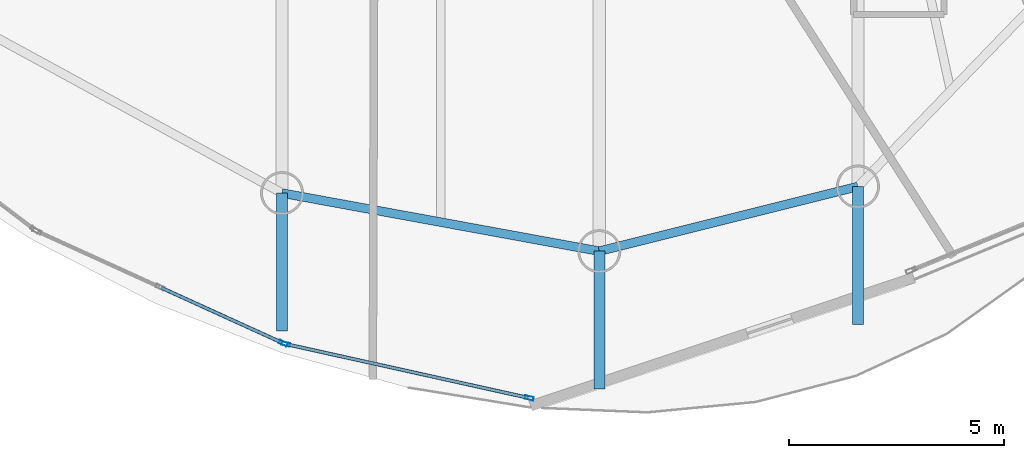
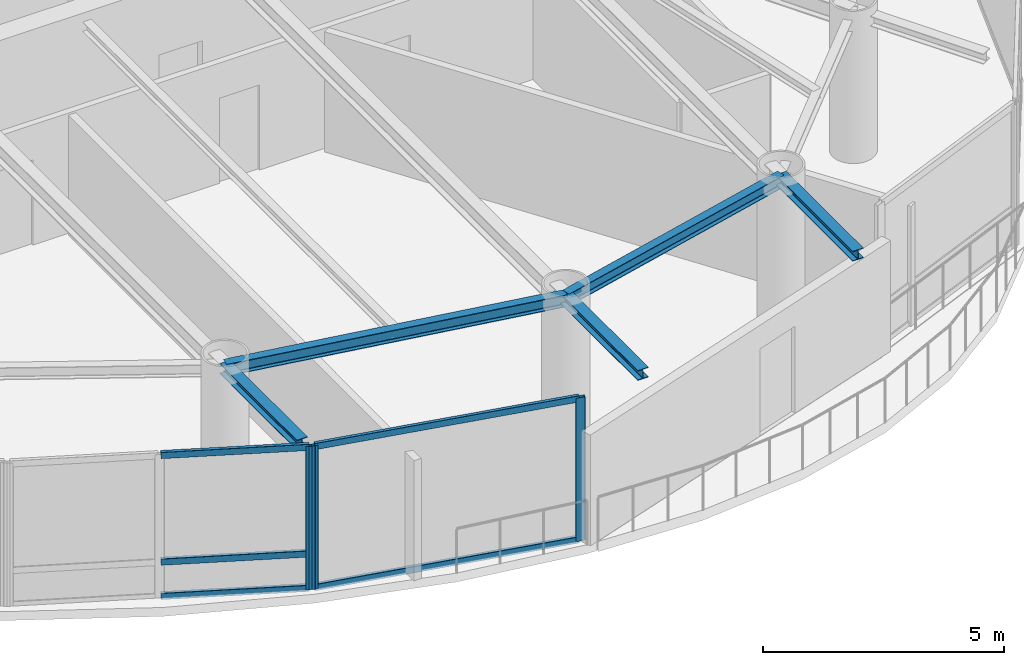
# One storey, part 4 of 19: 8 members, 5 beams, 2 elements without a shape of their own.
"""IFC4 building model written with IfcOpenShell, lengths in metres."""

from ifc_helpers import new_model, si_unit, direction, frame, origin, origin_2d, place, context, subcontext, project, spatial, hollow_rectangle, i_section, extrude, material, layer, layer_set, material_profile, profile_set, type_object, element, aggregate, save


model = new_model("IFC4")

# Units and contexts
model_context = context("Model", 3, precision=1e-05, world=origin(), true_north=direction((0.0, 1.0)))
body_context = subcontext(model_context, "Body", "Model", "MODEL_VIEW")
ifc_project = project(units=[si_unit("LENGTHUNIT", "METRE"), si_unit("AREAUNIT", "SQUARE_METRE"), si_unit("VOLUMEUNIT", "CUBIC_METRE"), si_unit("PLANEANGLEUNIT", "RADIAN"), si_unit("MASSUNIT", "GRAM", prefix="KILO")], contexts=[model_context])

# Site, building, storey
site_placement = place(None, origin())
site = spatial("IfcSite", under=ifc_project, at=site_placement, CompositionType="ELEMENT")
building_placement = place(site_placement, origin())
building = spatial("IfcBuilding", under=site, at=building_placement, Name="Bramvorn Convention Spire", CompositionType="ELEMENT")
storey_placement = place(building_placement, frame((0.0, 0.0, 272.85009765625)))
storey = spatial("IfcBuildingStorey", under=building, at=storey_placement, Name="L69", CompositionType="ELEMENT", Elevation=272.85009765625)

# Beams
ifc_material_1 = material(Name="Steel CSA G40.21 Grade 350 (350W)", Category="steel")
ifc_material_profile_1 = material_profile(ifc_material_1, i_section(OverallWidth=0.25390625, OverallDepth=0.2529296875, WebThickness=0.008544921875, FlangeThickness=0.01416015625, FilletRadius=0.011962890625, at=origin_2d()))
ifc_profile_set_1 = profile_set([ifc_material_profile_1], Name="Steel CSA G40.21 Grade 350 (350W) - W250X73")
beam_type_1 = type_object("IfcBeamType", Name="BM-W250X73", PredefinedType="BEAM", material=ifc_profile_set_1)
beam_1_placement = place(storey_placement, frame((49.199951171875, 6.60107421875, 3.498291015625), z_axis=(0.0, -1.0, 0.0), x_axis=(1.0, 0.0, 0.0)))
element("IfcBeam", 1, at=beam_1_placement, inside=storey, type_object=beam_type_1, Name="L69 slab-edge cantilever tip beam MC01", PredefinedType="BEAM", context=body_context, shape_type="SweptSolid", body=[
    extrude(i_section(OverallWidth=0.25390625, OverallDepth=0.2529296875, WebThickness=0.008544921875, FlangeThickness=0.01416015625, FilletRadius=0.011962890625, at=origin_2d()), origin(), (0.0, 0.0, 1.0), 3.2001953125),
])
for number, where, z_axis, x_axis, name in (
    (2, (35.8154296875, 6.44921875, 3.498291015625), (0.0, -1.0, 0.0), (1.0, 0.0, 0.0), "L69 slab-edge cantilever tip beam MC15"),
    (3, (43.1884765625, 5.09912109375, 3.498291015625), (0.0, -1.0, 0.0), (1.0, 0.0, 0.0), "L69 slab-edge cantilever tip beam MC16"),
):
    element("IfcBeam", number, at=place(storey_placement, frame(where, z_axis=z_axis, x_axis=x_axis)), inside=storey, type_object=beam_type_1, Name=name, PredefinedType="BEAM", context=body_context, shape_type="SweptSolid", body=[
        extrude(i_section(OverallWidth=0.25390625, OverallDepth=0.2529296875, WebThickness=0.008544921875, FlangeThickness=0.01416015625, FilletRadius=0.011962890625, at=origin_2d()), origin(), (0.0, 0.0, 1.0), 3.199951171875),
    ])
ifc_material_profile_2 = material_profile(ifc_material_1, i_section(OverallWidth=0.202880859375, OverallDepth=0.302978515625, WebThickness=0.007568359375, FlangeThickness=0.01318359375, FilletRadius=0.013916015625, at=origin_2d()))
ifc_profile_set_2 = profile_set([ifc_material_profile_2], Name="Steel CSA G40.21 Grade 350 (350W) - W310X60")
beam_type_2 = type_object("IfcBeamType", Name="BM-W310X60", PredefinedType="JOIST", material=ifc_profile_set_2)
beam_2_placement = place(storey_placement, frame((35.8154296875, 6.44921875, 3.473388671875), z_axis=(0.983645049461, -0.180117785547, 0.0), x_axis=(0.180117785547, 0.983645049461, 0.0)))
element("IfcBeam", 4, at=beam_2_placement, inside=storey, type_object=beam_type_2, Name="L69 mega-column ring beam 15", PredefinedType="JOIST", context=body_context, shape_type="SweptSolid", body=[
    extrude(i_section(OverallWidth=0.202880859375, OverallDepth=0.302978515625, WebThickness=0.007568359375, FlangeThickness=0.01318359375, FilletRadius=0.013916015625, at=origin_2d()), origin(), (0.0, 0.0, 1.0), 7.49560546875),
])
beam_3_placement = place(storey_placement, frame((43.1884765625, 5.09912109375, 3.473388671875), z_axis=(0.970177255997, 0.24239655927, 0.0), x_axis=(-0.24239655927, 0.970177255997, 0.0)))
element("IfcBeam", 5, at=beam_3_placement, inside=storey, type_object=beam_type_2, Name="L69 mega-column ring beam 16", PredefinedType="JOIST", context=body_context, shape_type="SweptSolid", body=[
    extrude(i_section(OverallWidth=0.202880859375, OverallDepth=0.302978515625, WebThickness=0.007568359375, FlangeThickness=0.01318359375, FilletRadius=0.013916015625, at=origin_2d()), origin(), (0.0, 0.0, 1.0), 6.1962890625),
])

# Curtain wall, member
ifc_material_2 = material(Name="Anodised Bronze Unitised Curtain Wall", Category="aluminium")
ifc_layer = layer(ifc_material_2, 0.179931640625)
ifc_layer_set = layer_set([ifc_layer], Name="Anodised Bronze Unitised Curtain Wall - CW-OFF-FRIT")
curtain_wall_type = type_object("IfcCurtainWallType", Name="CW-OFF-FRIT", PredefinedType="USERDEFINED", material=ifc_layer_set)
curtain_wall_1_placement = place(storey_placement, origin())
curtain_wall_1 = element("IfcCurtainWall", 6, at=curtain_wall_1_placement, inside=storey, type_object=curtain_wall_type, Name="L69 fritted glass curtain wall 21", ObjectType="UNITISED CURTAIN WALL", PredefinedType="USERDEFINED")
ifc_material_3 = material(Name="Anodised Bronze Aluminium 6063-T6", Category="aluminium")
ifc_material_profile_3 = material_profile(ifc_material_3, hollow_rectangle(XDim=0.080078125, YDim=0.199951171875, WallThickness=0.00390625, InnerFilletRadius=0.0009765625, OuterFilletRadius=0.00390625, at=origin_2d()))
ifc_profile_set_3 = profile_set([ifc_material_profile_3], Name="Anodised Bronze Aluminium 6063-T6 - CWM80X200")
member_type_1 = type_object("IfcMemberType", Name="CW-MUL-180", PredefinedType="MULLION", material=ifc_profile_set_3)
member_1_placement = place(storey_placement, frame((35.842041015625, 2.9599609375, 0.0), z_axis=(0.0, 0.0, 1.0), x_axis=(-0.414229167696, -0.910172619139, 0.0)))
member_1 = element("IfcMember", 7, at=member_1_placement, type_object=member_type_1, Name="CW3 mullion 1", PredefinedType="MULLION", context=body_context, shape_type="SweptSolid", body=[
    extrude(hollow_rectangle(XDim=0.080078125, YDim=0.199951171875, WallThickness=0.00390625, InnerFilletRadius=0.0009765625, OuterFilletRadius=0.00390625, at=origin_2d()), origin(), (0.0, 0.0, 1.0), 3.625),
])

# Curtain wall, members
curtain_wall_2_placement = place(storey_placement, origin())
curtain_wall_2 = element("IfcCurtainWall", 8, at=curtain_wall_2_placement, inside=storey, type_object=curtain_wall_type, Name="L69 fritted glass curtain wall 22", ObjectType="UNITISED CURTAIN WALL", PredefinedType="USERDEFINED")
member_2_placement = place(storey_placement, frame((41.561279296875, 1.686279296875, 0.0), z_axis=(0.0, 0.0, 1.0), x_axis=(-0.216332340877, -0.976319782802, 0.0)))
member_2 = element("IfcMember", 9, at=member_2_placement, type_object=member_type_1, Name="CW3 mullion 1", PredefinedType="MULLION", context=body_context, shape_type="SweptSolid", body=[
    extrude(hollow_rectangle(XDim=0.080078125, YDim=0.199951171875, WallThickness=0.00390625, InnerFilletRadius=0.0009765625, OuterFilletRadius=0.00390625, at=origin_2d()), origin(), (0.0, 0.0, 1.0), 3.625),
])
member_3_placement = place(storey_placement, frame((35.898681640625, 2.941162109375, 0.0), z_axis=(0.0, 0.0, 1.0), x_axis=(-0.216332340877, -0.976319782802, 0.0)))
member_3 = element("IfcMember", 10, at=member_3_placement, type_object=member_type_1, Name="CW3 mullion 2", PredefinedType="MULLION", context=body_context, shape_type="SweptSolid", body=[
    extrude(hollow_rectangle(XDim=0.080078125, YDim=0.199951171875, WallThickness=0.00390625, InnerFilletRadius=0.0009765625, OuterFilletRadius=0.00390625, at=origin_2d()), origin(), (0.0, 0.0, 1.0), 3.625),
])

# Member
ifc_material_profile_4 = material_profile(ifc_material_3, hollow_rectangle(XDim=0.080078125, YDim=0.159912109375, WallThickness=0.00390625, InnerFilletRadius=0.0009765625, OuterFilletRadius=0.00390625, at=origin_2d()))
ifc_profile_set_4 = profile_set([ifc_material_profile_4], Name="Anodised Bronze Aluminium 6063-T6 - CWT80X160")
member_type_2 = type_object("IfcMemberType", Name="CW-TRN-150", PredefinedType="USERDEFINED", material=ifc_profile_set_4)
member_4_placement = place(storey_placement, frame((35.814697265625, 2.972412109375, 0.02978515625), z_axis=(-0.910176516511, 0.414220604016, 0.0), x_axis=(-0.414220604016, -0.910176516511, 0.0)))
member_4 = element("IfcMember", 11, at=member_4_placement, type_object=member_type_2, Name="CW3 transom 1.1", ObjectType="TRANSOM", PredefinedType="USERDEFINED", context=body_context, shape_type="SweptSolid", body=[
    extrude(hollow_rectangle(XDim=0.080078125, YDim=0.159912109375, WallThickness=0.00390625, InnerFilletRadius=0.0009765625, OuterFilletRadius=0.00390625, at=origin_2d()), origin(), (0.0, 0.0, 1.0), 3.08251953125),
])

member_5_placement = place(storey_placement, frame((35.814697265625, 2.972412109375, 0.89990234375), z_axis=(-0.910176516511, 0.414220604016, 0.0), x_axis=(-0.414220604016, -0.910176516511, 0.0)))
member_5 = element("IfcMember", 12, at=member_5_placement, type_object=member_type_2, Name="CW3 transom 1.2", ObjectType="TRANSOM", PredefinedType="USERDEFINED", context=body_context, shape_type="SweptSolid", body=[
    extrude(hollow_rectangle(XDim=0.080078125, YDim=0.159912109375, WallThickness=0.00390625, InnerFilletRadius=0.0009765625, OuterFilletRadius=0.00390625, at=origin_2d()), origin(), (0.0, 0.0, 1.0), 3.08251953125),
])

member_6_placement = place(storey_placement, frame((35.814697265625, 2.972412109375, 3.594970703125), z_axis=(-0.910176516511, 0.414220604016, 0.0), x_axis=(-0.414220604016, -0.910176516511, 0.0)))
member_6 = element("IfcMember", 13, at=member_6_placement, type_object=member_type_2, Name="CW3 transom 1.3", ObjectType="TRANSOM", PredefinedType="USERDEFINED", context=body_context, shape_type="SweptSolid", body=[
    extrude(hollow_rectangle(XDim=0.080078125, YDim=0.159912109375, WallThickness=0.00390625, InnerFilletRadius=0.0009765625, OuterFilletRadius=0.00390625, at=origin_2d()), origin(), (0.0, 0.0, 1.0), 3.08251953125),
])

aggregate(curtain_wall_1, [member_1, member_4, member_5, member_6])

member_7_placement = place(storey_placement, frame((41.531982421875, 1.69287109375, 0.02978515625), z_axis=(-0.976320980236, 0.21632693672, 0.0), x_axis=(-0.21632693672, -0.976320980236, 0.0)))
member_7 = element("IfcMember", 14, at=member_7_placement, type_object=member_type_2, Name="CW3 transom 1.1", ObjectType="TRANSOM", PredefinedType="USERDEFINED", context=body_context, shape_type="SweptSolid", body=[
    extrude(hollow_rectangle(XDim=0.080078125, YDim=0.159912109375, WallThickness=0.00390625, InnerFilletRadius=0.0009765625, OuterFilletRadius=0.00390625, at=origin_2d()), origin(), (0.0, 0.0, 1.0), 5.739990234375),
])

member_8_placement = place(storey_placement, frame((41.531982421875, 1.69287109375, 3.594970703125), z_axis=(-0.976320980236, 0.21632693672, 0.0), x_axis=(-0.21632693672, -0.976320980236, 0.0)))
member_8 = element("IfcMember", 15, at=member_8_placement, type_object=member_type_2, Name="CW3 transom 1.2", ObjectType="TRANSOM", PredefinedType="USERDEFINED", context=body_context, shape_type="SweptSolid", body=[
    extrude(hollow_rectangle(XDim=0.080078125, YDim=0.159912109375, WallThickness=0.00390625, InnerFilletRadius=0.0009765625, OuterFilletRadius=0.00390625, at=origin_2d()), origin(), (0.0, 0.0, 1.0), 5.739990234375),
])

aggregate(curtain_wall_2, [member_2, member_3, member_7, member_8])

save(model, "model.ifc")
